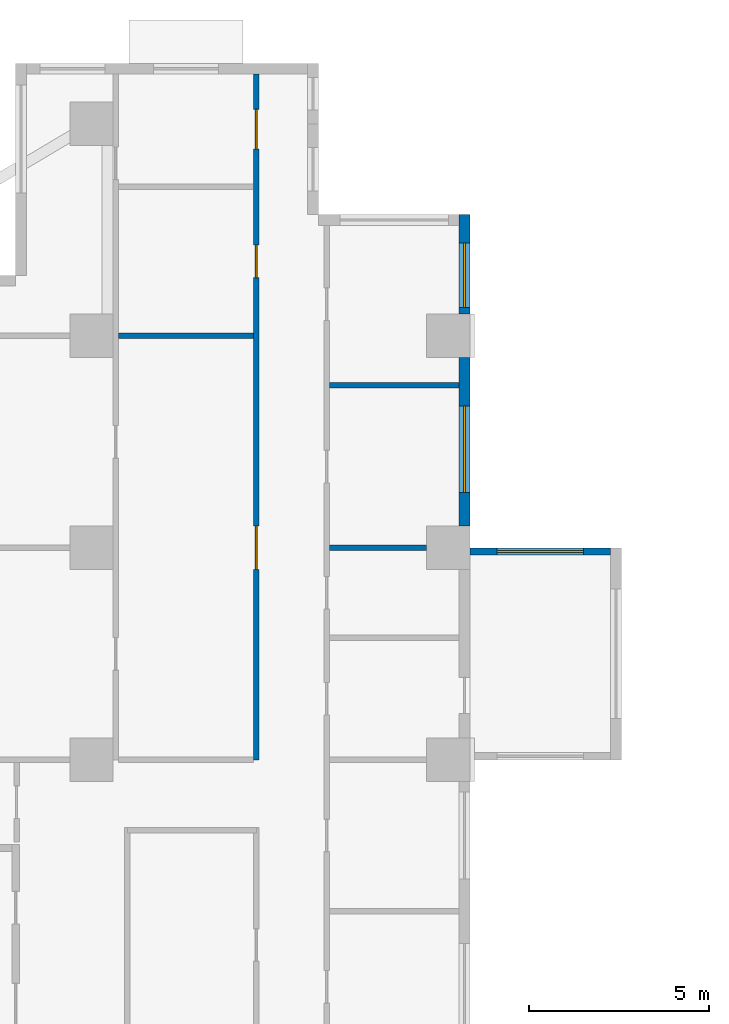
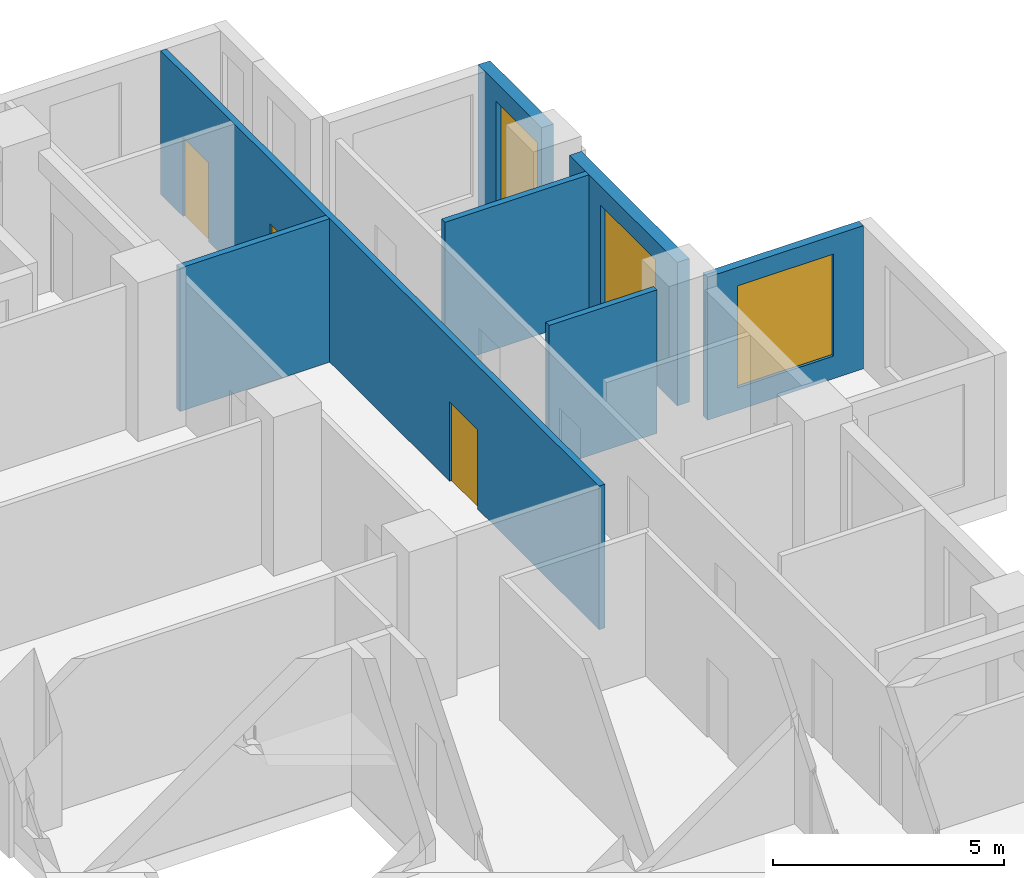
# One storey, part 8 of 15: 7 walls, 3 doors, 3 windows, 6 openings.
"""IFC4 building model written with IfcOpenShell, lengths in metres."""

from ifc_helpers import new_model, si_unit, direction, frame, frame_2d, origin, place, context, subcontext, project, spatial, rectangle, extrude, source, transform, mapped, material, layer, layer_set, type_object, element, fill, save


model = new_model("IFC4")

# Units and contexts
model_context = context("Model", 3, precision=1e-05, world=origin(), true_north=direction((0.0, 1.0)))
body_context = subcontext(model_context, "Body", "Model", "MODEL_VIEW")
ifc_project = project(units=[si_unit("LENGTHUNIT", "METRE"), si_unit("AREAUNIT", "SQUARE_METRE"), si_unit("VOLUMEUNIT", "CUBIC_METRE"), si_unit("PLANEANGLEUNIT", "RADIAN"), si_unit("MASSUNIT", "GRAM", prefix="KILO")], contexts=[model_context])

# Site, building, storey
site_placement = place(None, origin())
site = spatial("IfcSite", under=ifc_project, at=site_placement, CompositionType="ELEMENT")
building_placement = place(site_placement, origin())
building = spatial("IfcBuilding", under=site, at=building_placement, Name="Aurelian Terraces", CompositionType="ELEMENT")
storey_placement = place(building_placement, frame((0.0, 0.0, 74.1)))
storey = spatial("IfcBuildingStorey", under=building, at=storey_placement, Name="L15", CompositionType="ELEMENT", Elevation=74.1)

# Wall, opening, window
ifc_material_1 = material(Name="Terracotta rainscreen cladding", Category="masonry")
ifc_layer_1 = layer(ifc_material_1, 0.3)
ifc_layer_set_1 = layer_set([ifc_layer_1], Name="EW-300")
wall_type_1 = type_object("IfcWallType", Name="EW-300", PredefinedType="STANDARD", material=ifc_layer_set_1)
shared_shape_1 = source(origin(), body_context, "Body", "SweptSolid", [
    extrude(rectangle(XDim=4.68, YDim=0.3, at=frame_2d((2.34, 0.0))), origin(), (0.0, 0.0, 1.0), 3.8),
])
wall_1_placement = place(storey_placement, frame((20.85, 52.68, 0.0), z_axis=(0.0, 0.0, 1.0), x_axis=(0.0, 1.0, 0.0)))
wall_1 = element("IfcWall", 1, at=wall_1_placement, inside=storey, type_object=wall_type_1, Name="External wall L15 F08.25", PredefinedType="STANDARD", context=body_context, shape_type="MappedRepresentation", body=[
    mapped(shared_shape_1, transform((0.0, 0.0, 0.0), scale=1.0)),
])
shared_shape_2 = source(origin(), body_context, "Body", "SweptSolid", [
    extrude(rectangle(XDim=2.4, YDim=2.7, at=frame_2d((1.2, 1.35))), frame((0.0, 0.16, 0.0), z_axis=(0.0, -1.0, 0.0), x_axis=(1.0, 0.0, 0.0)), (0.0, 0.0, 1.0), 0.32),
])
opening_1_placement = place(wall_1_placement, frame((0.936, 0.0, 0.6)))
opening_1 = element("IfcOpeningElement", 2, at=opening_1_placement, cuts=wall_1, Name="Opening W2427", PredefinedType="OPENING", context=body_context, shape_type="MappedRepresentation", body=[
    mapped(shared_shape_2, transform((0.0, 0.0, 0.0), scale=1.0)),
])
ifc_material_2 = material(Name="Clear glazing", Category="glass")
window_type_1 = type_object("IfcWindowType", Name="W-2400x2700", PartitioningType="SINGLE_PANEL", PredefinedType="WINDOW", material=ifc_material_2)
shared_shape_3 = source(origin(), body_context, "Body", "SweptSolid", [
    extrude(rectangle(XDim=2.4, YDim=2.7, at=frame_2d((1.2, 1.35))), frame((0.0, 0.03, 0.0), z_axis=(0.0, -1.0, 0.0), x_axis=(1.0, 0.0, 0.0)), (0.0, 0.0, 1.0), 0.06),
])
window_1_placement = place(opening_1_placement, origin())
window_1 = element("IfcWindow", 3, at=window_1_placement, inside=storey, type_object=window_type_1, Name="Window L15 L15-F08-25-0", OverallHeight=2.7, OverallWidth=2.4, PartitioningType="SINGLE_PANEL", PredefinedType="WINDOW", context=body_context, shape_type="MappedRepresentation", body=[
    mapped(shared_shape_3, transform((0.0, 0.0, 0.0), scale=1.0)),
])
fill(opening_1, window_1)

shared_shape_4 = source(origin(), body_context, "Body", "SweptSolid", [
    extrude(rectangle(XDim=2.76, YDim=0.3, at=frame_2d((1.38, 0.0))), origin(), (0.0, 0.0, 1.0), 3.8),
])
wall_2_placement = place(storey_placement, frame((20.85, 58.56, 0.0), z_axis=(0.0, 0.0, 1.0), x_axis=(0.0, 1.0, 0.0)))
wall_2 = element("IfcWall", 4, at=wall_2_placement, inside=storey, type_object=wall_type_1, Name="External wall L15 F08.26", PredefinedType="STANDARD", context=body_context, shape_type="MappedRepresentation", body=[
    mapped(shared_shape_4, transform((0.0, 0.0, 0.0), scale=1.0)),
])
shared_shape_5 = source(origin(), body_context, "Body", "SweptSolid", [
    extrude(rectangle(XDim=1.8, YDim=2.7, at=frame_2d((0.9, 1.35))), frame((0.0, 0.16, 0.0), z_axis=(0.0, -1.0, 0.0), x_axis=(1.0, 0.0, 0.0)), (0.0, 0.0, 1.0), 0.32),
])
opening_2_placement = place(wall_2_placement, frame((0.18, 0.0, 0.6)))
opening_2 = element("IfcOpeningElement", 5, at=opening_2_placement, cuts=wall_2, Name="Opening W1827", PredefinedType="OPENING", context=body_context, shape_type="MappedRepresentation", body=[
    mapped(shared_shape_5, transform((0.0, 0.0, 0.0), scale=1.0)),
])
window_type_2 = type_object("IfcWindowType", Name="W-1800x2700", PartitioningType="SINGLE_PANEL", PredefinedType="WINDOW", material=ifc_material_2)
shared_shape_6 = source(origin(), body_context, "Body", "SweptSolid", [
    extrude(rectangle(XDim=1.8, YDim=2.7, at=frame_2d((0.9, 1.35))), frame((0.0, 0.03, 0.0), z_axis=(0.0, -1.0, 0.0), x_axis=(1.0, 0.0, 0.0)), (0.0, 0.0, 1.0), 0.06),
])
window_2_placement = place(opening_2_placement, origin())
window_2 = element("IfcWindow", 6, at=window_2_placement, inside=storey, type_object=window_type_2, Name="Window L15 L15-F08-26-0", OverallHeight=2.7, OverallWidth=1.8, PartitioningType="SINGLE_PANEL", PredefinedType="WINDOW", context=body_context, shape_type="MappedRepresentation", body=[
    mapped(shared_shape_6, transform((0.0, 0.0, 0.0), scale=1.0)),
])
fill(opening_2, window_2)

ifc_material_3 = material(Name="Concrete fc' 40 MPa", Category="concrete")
ifc_layer_2 = layer(ifc_material_3, 0.2)
ifc_layer_set_2 = layer_set([ifc_layer_2], Name="BOX BEARING WALL 200")
wall_type_2 = type_object("IfcWallType", Name="BOX BEARING WALL 200", PredefinedType="SOLIDWALL", material=ifc_layer_set_2)
shared_shape_7 = source(origin(), body_context, "Body", "SweptSolid", [
    extrude(rectangle(XDim=3.9, YDim=0.2, at=frame_2d((1.95, 0.0))), origin(), (0.0, 0.0, 1.0), 3.79),
])
wall_3_placement = place(storey_placement, frame((21.0, 51.98, 0.0), z_axis=(0.0, 0.0, 1.0), x_axis=(1.0, 0.0, 0.0)))
wall_3 = element("IfcWall", 7, at=wall_3_placement, inside=storey, type_object=wall_type_2, Name="Box return L15 J18.2", PredefinedType="SOLIDWALL", context=body_context, shape_type="MappedRepresentation", body=[
    mapped(shared_shape_7, transform((0.0, 0.0, 0.0), scale=1.0)),
])
shared_shape_8 = source(origin(), body_context, "Body", "SweptSolid", [
    extrude(rectangle(XDim=2.4, YDim=2.7, at=frame_2d((1.2, 1.35))), frame((0.0, 0.11, 0.0), z_axis=(0.0, -1.0, 0.0), x_axis=(1.0, 0.0, 0.0)), (0.0, 0.0, 1.0), 0.22),
])
opening_3_placement = place(wall_3_placement, frame((0.75, 0.0, 0.6)))
opening_3 = element("IfcOpeningElement", 8, at=opening_3_placement, cuts=wall_3, Name="Opening W2427", PredefinedType="OPENING", context=body_context, shape_type="MappedRepresentation", body=[
    mapped(shared_shape_8, transform((0.0, 0.0, 0.0), scale=1.0)),
])
window_3_placement = place(opening_3_placement, origin())
window_3 = element("IfcWindow", 9, at=window_3_placement, inside=storey, type_object=window_type_1, Name="Window L15 J18-S2", OverallHeight=2.7, OverallWidth=2.4, PartitioningType="SINGLE_PANEL", PredefinedType="WINDOW", context=body_context, shape_type="MappedRepresentation", body=[
    mapped(shared_shape_3, transform((0.0, 0.0, 0.0), scale=1.0)),
])
fill(opening_3, window_3)

# Walls
ifc_material_4 = material(Name="Gypsum board on steel studs", Category="steel")
ifc_layer_3 = layer(ifc_material_4, 0.15)
ifc_layer_set_3 = layer_set([ifc_layer_3], Name="Partition 150")
wall_type_3 = type_object("IfcWallType", Name="Partition 150", PredefinedType="PARTITIONING", material=ifc_layer_set_3)
shared_shape_9 = source(origin(), body_context, "Body", "SweptSolid", [
    extrude(rectangle(XDim=3.75, YDim=0.15, at=frame_2d((1.875, 0.0))), origin(), (0.0, 0.0, 1.0), 3.8),
])
wall_4_placement = place(storey_placement, frame((15.0, 57.96, 0.0), z_axis=(0.0, 0.0, 1.0), x_axis=(-1.0, 0.0, 0.0)))
element("IfcWall", 10, at=wall_4_placement, inside=storey, type_object=wall_type_3, Name="Partition", PredefinedType="PARTITIONING", context=body_context, shape_type="MappedRepresentation", body=[
    mapped(shared_shape_9, transform((0.0, 0.0, 0.0), scale=1.0)),
])
shared_shape_10 = source(origin(), body_context, "Body", "SweptSolid", [
    extrude(rectangle(XDim=3.6, YDim=0.15, at=frame_2d((1.8, 0.0))), origin(), (0.0, 0.0, 1.0), 3.8),
])
wall_5_placement = place(storey_placement, frame((17.1, 56.5875, 0.0), z_axis=(0.0, 0.0, 1.0), x_axis=(1.0, 0.0, 0.0)))
element("IfcWall", 11, at=wall_5_placement, inside=storey, type_object=wall_type_3, Name="Partition", PredefinedType="PARTITIONING", context=body_context, shape_type="MappedRepresentation", body=[
    mapped(shared_shape_10, transform((0.0, 0.0, 0.0), scale=1.0)),
])
shared_shape_11 = source(origin(), body_context, "Body", "SweptSolid", [
    extrude(rectangle(XDim=2.701, YDim=0.15, at=frame_2d((1.3505, 0.0))), origin(), (0.0, 0.0, 1.0), 3.8),
])
wall_6_placement = place(storey_placement, frame((19.801, 52.08, 0.0), z_axis=(0.0, 0.0, 1.0), x_axis=(-1.0, 0.0, 0.0)))
element("IfcWall", 12, at=wall_6_placement, inside=storey, type_object=wall_type_3, Name="Partition", PredefinedType="PARTITIONING", context=body_context, shape_type="MappedRepresentation", body=[
    mapped(shared_shape_11, transform((0.0, 0.0, 0.0), scale=1.0)),
])

# Wall, openings, doors
ifc_layer_4 = layer(ifc_material_4, 0.15)
ifc_layer_set_4 = layer_set([ifc_layer_4], Name="Fire partition 150")
wall_type_4 = type_object("IfcWallType", Name="Fire partition 150", PredefinedType="PARTITIONING", material=ifc_layer_set_4)
shared_shape_12 = source(origin(), body_context, "Body", "SweptSolid", [
    extrude(rectangle(XDim=19.02, YDim=0.15, at=frame_2d((9.51, 0.0))), origin(), (0.0, 0.0, 1.0), 3.8),
])
wall_7_placement = place(storey_placement, frame((15.075, 46.2, 0.0), z_axis=(0.0, 0.0, 1.0), x_axis=(0.0, 1.0, 0.0)))
wall_7 = element("IfcWall", 13, at=wall_7_placement, inside=storey, type_object=wall_type_4, Name="Corridor wall", PredefinedType="PARTITIONING", context=body_context, shape_type="MappedRepresentation", body=[
    mapped(shared_shape_12, transform((0.0, 0.0, 0.0), scale=1.0)),
])
shared_shape_13 = source(origin(), body_context, "Body", "SweptSolid", [
    extrude(rectangle(XDim=1.2, YDim=2.1, at=frame_2d((0.6, 1.05))), frame((0.0, 0.085, 0.0), z_axis=(0.0, -1.0, 0.0), x_axis=(1.0, 0.0, 0.0)), (0.0, 0.0, 1.0), 0.17),
])
opening_4_placement = place(wall_7_placement, frame((5.28, 0.0, 0.0)))
opening_4 = element("IfcOpeningElement", 14, at=opening_4_placement, cuts=wall_7, Name="Opening 715036", PredefinedType="OPENING", context=body_context, shape_type="MappedRepresentation", body=[
    mapped(shared_shape_13, transform((0.0, 0.0, 0.0), scale=1.0)),
])
shared_shape_14 = source(origin(), body_context, "Body", "SweptSolid", [
    extrude(rectangle(XDim=1.1, YDim=2.1, at=frame_2d((0.55, 1.05))), frame((0.0, 0.085, 0.0), z_axis=(0.0, -1.0, 0.0), x_axis=(1.0, 0.0, 0.0)), (0.0, 0.0, 1.0), 0.17),
])
opening_5_placement = place(wall_7_placement, frame((16.9442, 0.0, 0.0)))
opening_5 = element("IfcOpeningElement", 15, at=opening_5_placement, cuts=wall_7, Name="Opening 715039", PredefinedType="OPENING", context=body_context, shape_type="MappedRepresentation", body=[
    mapped(shared_shape_14, transform((0.0, 0.0, 0.0), scale=1.0)),
])
shared_shape_15 = source(origin(), body_context, "Body", "SweptSolid", [
    extrude(rectangle(XDim=0.9, YDim=2.1, at=frame_2d((0.45, 1.05))), frame((0.0, 0.085, 0.0), z_axis=(0.0, -1.0, 0.0), x_axis=(1.0, 0.0, 0.0)), (0.0, 0.0, 1.0), 0.17),
])
opening_6_placement = place(wall_7_placement, frame((13.3767, 0.0, 0.0)))
opening_6 = element("IfcOpeningElement", 16, at=opening_6_placement, cuts=wall_7, Name="Opening 715041", PredefinedType="OPENING", context=body_context, shape_type="MappedRepresentation", body=[
    mapped(shared_shape_15, transform((0.0, 0.0, 0.0), scale=1.0)),
])
ifc_material_5 = material(Name="Timber door leaf", Category="wood")
door_type_1 = type_object("IfcDoorType", Name="Room door 900x2100 left", OperationType="SINGLE_SWING_LEFT", PredefinedType="DOOR", material=ifc_material_5)
shared_shape_16 = source(origin(), body_context, "Body", "SweptSolid", [
    extrude(rectangle(XDim=0.9, YDim=2.1, at=frame_2d((0.45, 1.05))), frame((0.0, 0.025, 0.0), z_axis=(0.0, -1.0, 0.0), x_axis=(1.0, 0.0, 0.0)), (0.0, 0.0, 1.0), 0.05),
])
door_1_placement = place(opening_6_placement, origin())
door_1 = element("IfcDoor", 17, at=door_1_placement, inside=storey, type_object=door_type_1, Name="Door 715041", OperationType="SINGLE_SWING_LEFT", OverallHeight=2.1, OverallWidth=0.9, PredefinedType="DOOR", context=body_context, shape_type="MappedRepresentation", body=[
    mapped(shared_shape_16, transform((0.0, 0.0, 0.0), scale=1.0)),
])
fill(opening_6, door_1)
door_type_2 = type_object("IfcDoorType", Name="Room door 1100x2100 left", OperationType="SINGLE_SWING_LEFT", PredefinedType="DOOR", material=ifc_material_5)
shared_shape_17 = source(origin(), body_context, "Body", "SweptSolid", [
    extrude(rectangle(XDim=1.1, YDim=2.1, at=frame_2d((0.55, 1.05))), frame((0.0, 0.025, 0.0), z_axis=(0.0, -1.0, 0.0), x_axis=(1.0, 0.0, 0.0)), (0.0, 0.0, 1.0), 0.05),
])
door_2_placement = place(opening_5_placement, origin())
door_2 = element("IfcDoor", 18, at=door_2_placement, inside=storey, type_object=door_type_2, Name="Door 715039", OperationType="SINGLE_SWING_LEFT", OverallHeight=2.1, OverallWidth=1.1, PredefinedType="DOOR", context=body_context, shape_type="MappedRepresentation", body=[
    mapped(shared_shape_17, transform((0.0, 0.0, 0.0), scale=1.0)),
])
fill(opening_5, door_2)
door_type_3 = type_object("IfcDoorType", Name="Room door 1200x2100 left", OperationType="SINGLE_SWING_LEFT", PredefinedType="DOOR", material=ifc_material_5)
shared_shape_18 = source(origin(), body_context, "Body", "SweptSolid", [
    extrude(rectangle(XDim=1.2, YDim=2.1, at=frame_2d((0.6, 1.05))), frame((0.0, 0.025, 0.0), z_axis=(0.0, -1.0, 0.0), x_axis=(1.0, 0.0, 0.0)), (0.0, 0.0, 1.0), 0.05),
])
door_3_placement = place(opening_4_placement, origin())
door_3 = element("IfcDoor", 19, at=door_3_placement, inside=storey, type_object=door_type_3, Name="Door 715036", OperationType="SINGLE_SWING_LEFT", OverallHeight=2.1, OverallWidth=1.2, PredefinedType="DOOR", context=body_context, shape_type="MappedRepresentation", body=[
    mapped(shared_shape_18, transform((0.0, 0.0, 0.0), scale=1.0)),
])
fill(opening_4, door_3)

save(model, "model.ifc")
